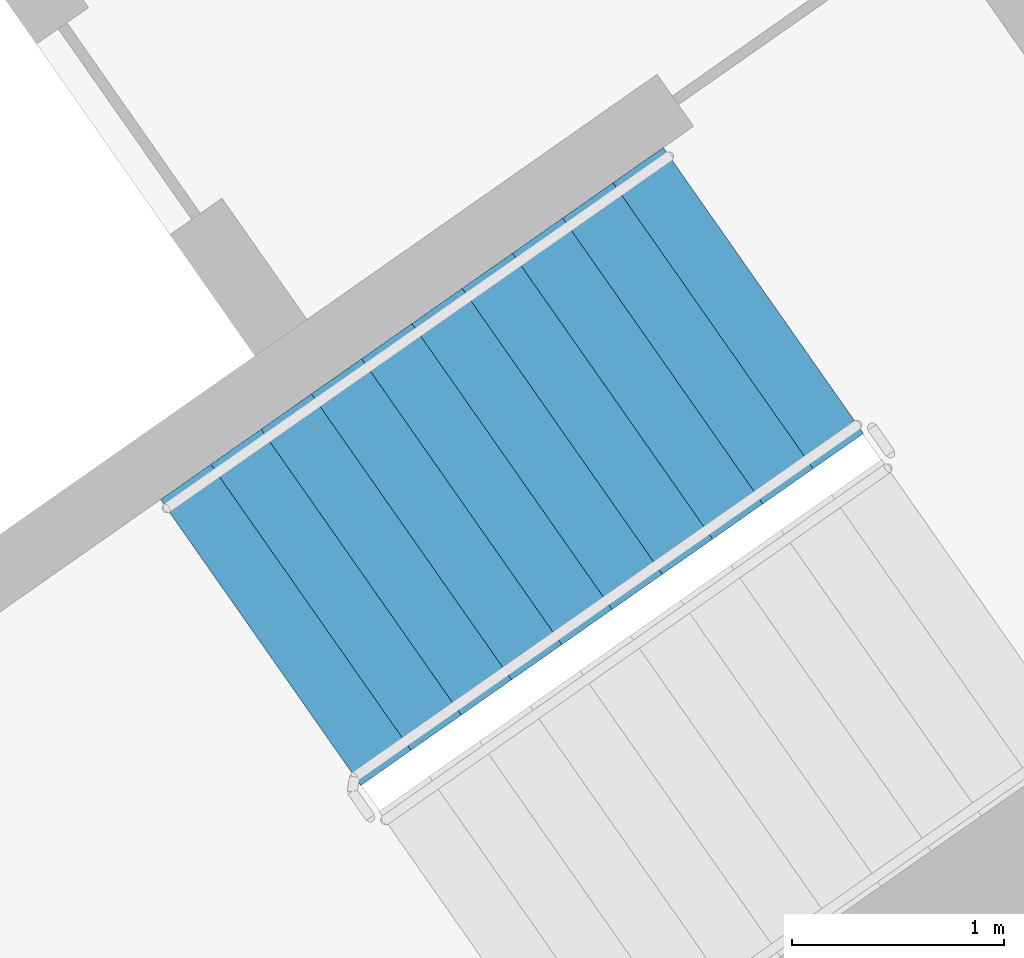
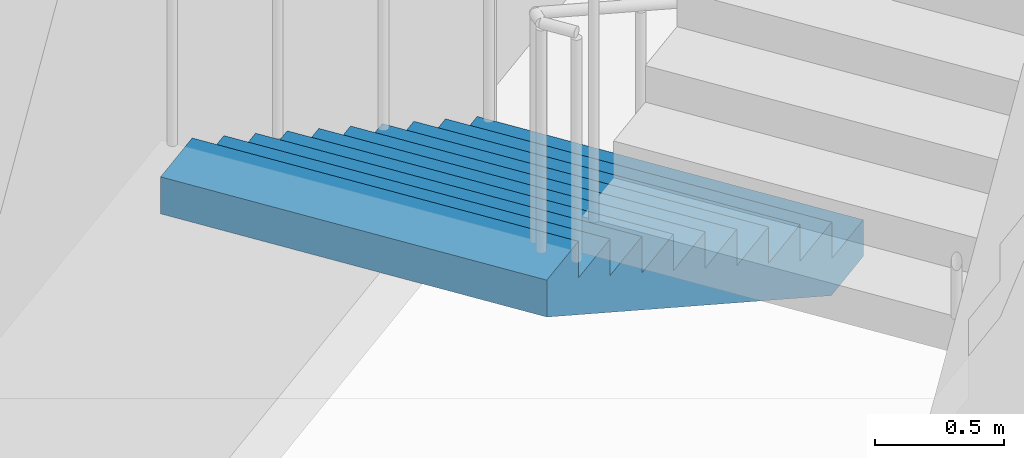
# One storey, part 13 of 29: 1 stair flight, 1 element without a shape of its own.
"""IFC4 building model written with IfcOpenShell, lengths in metres."""

from ifc_helpers import new_model, si_unit, direction, frame, origin, place, context, subcontext, project, spatial, faceted_brep, material, type_object, element, aggregate, save


model = new_model("IFC4")

# Units and contexts
model_context = context("Model", 3, precision=1e-05, world=origin(), true_north=direction((0.0, 1.0)))
body_context = subcontext(model_context, "Body", "Model", "MODEL_VIEW")
ifc_project = project(units=[si_unit("LENGTHUNIT", "METRE"), si_unit("AREAUNIT", "SQUARE_METRE"), si_unit("VOLUMEUNIT", "CUBIC_METRE"), si_unit("PLANEANGLEUNIT", "RADIAN"), si_unit("MASSUNIT", "GRAM", prefix="KILO")], contexts=[model_context])

# Site, building, storey
site_placement = place(None, origin())
site = spatial("IfcSite", under=ifc_project, at=site_placement, CompositionType="ELEMENT")
building_placement = place(site_placement, origin())
building = spatial("IfcBuilding", under=site, at=building_placement, Name="Qamariyya Broadcast Tower", CompositionType="ELEMENT")
storey_placement = place(building_placement, frame((0.0, 0.0, 258.10009765625)))
storey = spatial("IfcBuildingStorey", under=building, at=storey_placement, Name="L62", CompositionType="ELEMENT", Elevation=258.10009765625)

# Stair, stair flight
ifc_material = material(Name="Concrete C50/60", Category="concrete")
stair_type = type_object("IfcStairType", Name="Exit stair 22 risers of 173 mm", PredefinedType="HALF_TURN_STAIR", material=ifc_material)
stair_placement = place(storey_placement, origin())
stair = element("IfcStair", 1, at=stair_placement, inside=storey, type_object=stair_type, Name="L62 Stair E1", PredefinedType="HALF_TURN_STAIR")
stair_flight_type = type_object("IfcStairFlightType", Name="Exit stair flight 11 risers of 173 mm", PredefinedType="STRAIGHT", material=ifc_material)
stair_flight_placement = place(storey_placement, frame((46.036376953125, -55.508056640625, 0.0), z_axis=(0.0, 0.0, 1.0), x_axis=(-0.819152044289, -0.573576436351, 0.0)))
stair_flight = element("IfcStairFlight", 2, at=stair_flight_placement, type_object=stair_flight_type, Name="ST-E1 flight 1", NumberOfRisers=11, NumberOfTreads=10, PredefinedType="STRAIGHT", RiserHeight=0.172727273, TreadLength=0.29, context=body_context, shape_type="Brep", body=[
    faceted_brep([(0.0, 0.824951171875, 0.0), (0.0, 0.824951171875, 0.172607421875), (0.2900390625, 0.824951171875, 0.172607421875), (0.2900390625, 0.824951171875, 0.345458984375), (0.580078125, 0.824951171875, 0.345458984375), (0.580078125, 0.824951171875, 0.51806640625), (0.8701171875, 0.824951171875, 0.51806640625), (0.8701171875, 0.824951171875, 0.69091796875), (1.159912109375, 0.824951171875, 0.69091796875), (1.159912109375, 0.824951171875, 0.863525390625), (1.449951171875, 0.824951171875, 0.863525390625), (1.449951171875, 0.824951171875, 1.036376953125), (1.739990234375, 0.824951171875, 1.036376953125), (1.739990234375, 0.824951171875, 1.208984375), (2.030029296875, 0.824951171875, 1.208984375), (2.030029296875, 0.824951171875, 1.3818359375), (2.320068359375, 0.824951171875, 1.3818359375), (2.320068359375, 0.824951171875, 1.554443359375), (2.610107421875, 0.824951171875, 1.554443359375), (2.610107421875, 0.824951171875, 1.727294921875), (2.89990234375, 0.824951171875, 1.727294921875), (2.89990234375, 0.824951171875, 1.552734375), (0.29296875, 0.824951171875, 0.0), (0.29296875, -0.824951171875, 0.0), (2.89990234375, -0.824951171875, 1.552734375), (2.89990234375, -0.824951171875, 1.727294921875), (2.610107421875, -0.824951171875, 1.727294921875), (2.610107421875, -0.824951171875, 1.554443359375), (2.320068359375, -0.824951171875, 1.554443359375), (2.320068359375, -0.824951171875, 1.3818359375), (2.030029296875, -0.824951171875, 1.3818359375), (2.030029296875, -0.824951171875, 1.208984375), (1.739990234375, -0.824951171875, 1.208984375), (1.739990234375, -0.824951171875, 1.036376953125), (1.449951171875, -0.824951171875, 1.036376953125), (1.449951171875, -0.824951171875, 0.863525390625), (1.159912109375, -0.824951171875, 0.863525390625), (1.159912109375, -0.824951171875, 0.69091796875), (0.8701171875, -0.824951171875, 0.69091796875), (0.8701171875, -0.824951171875, 0.51806640625), (0.580078125, -0.824951171875, 0.51806640625), (0.580078125, -0.824951171875, 0.345458984375), (0.2900390625, -0.824951171875, 0.345458984375), (0.2900390625, -0.824951171875, 0.172607421875), (0.0, -0.824951171875, 0.172607421875), (0.0, -0.824951171875, 0.0), (0.0, 0.10009765625, 0.0), (0.0, 0.086669921875, 0.0), (0.0, 0.0732421875, 0.0), (0.0, 0.06005859375, 0.0), (0.0, 0.046630859375, 0.0), (0.0, 0.033447265625, 0.0), (0.0, 0.02001953125, 0.0), (0.0, 0.006591796875, 0.0), (0.0, -0.006591796875, 0.0), (0.0, -0.02001953125, 0.0), (0.0, -0.033447265625, 0.0), (0.0, -0.046630859375, 0.0), (0.0, -0.06005859375, 0.0), (0.0, -0.0732421875, 0.0), (0.0, -0.086669921875, 0.0), (0.0, -0.10009765625, 0.0), (0.0, -0.10009765625, 0.172607421875), (0.0, -0.086669921875, 0.172607421875), (0.0, -0.0732421875, 0.172607421875), (0.0, -0.06005859375, 0.172607421875), (0.0, -0.046630859375, 0.172607421875), (0.0, -0.033447265625, 0.172607421875), (0.0, -0.02001953125, 0.172607421875), (0.0, -0.006591796875, 0.172607421875), (0.0, 0.006591796875, 0.172607421875), (0.0, 0.02001953125, 0.172607421875), (0.0, 0.033447265625, 0.172607421875), (0.0, 0.046630859375, 0.172607421875), (0.0, 0.06005859375, 0.172607421875), (0.0, 0.0732421875, 0.172607421875), (0.0, 0.086669921875, 0.172607421875), (0.0, 0.10009765625, 0.172607421875), (0.2900390625, -0.10009765625, 0.172607421875), (0.2900390625, -0.086669921875, 0.172607421875), (0.2900390625, -0.0732421875, 0.172607421875), (0.2900390625, -0.06005859375, 0.172607421875), (0.2900390625, -0.046630859375, 0.172607421875), (0.2900390625, -0.033447265625, 0.172607421875), (0.2900390625, -0.02001953125, 0.172607421875), (0.2900390625, -0.006591796875, 0.172607421875), (0.2900390625, 0.006591796875, 0.172607421875), (0.2900390625, 0.02001953125, 0.172607421875), (0.2900390625, 0.033447265625, 0.172607421875), (0.2900390625, 0.046630859375, 0.172607421875), (0.2900390625, 0.06005859375, 0.172607421875), (0.2900390625, 0.0732421875, 0.172607421875), (0.2900390625, 0.086669921875, 0.172607421875), (0.2900390625, 0.10009765625, 0.172607421875), (0.2900390625, -0.10009765625, 0.345458984375), (0.2900390625, -0.086669921875, 0.345458984375), (0.2900390625, -0.0732421875, 0.345458984375), (0.2900390625, -0.06005859375, 0.345458984375), (0.2900390625, -0.046630859375, 0.345458984375), (0.2900390625, -0.033447265625, 0.345458984375), (0.2900390625, -0.02001953125, 0.345458984375), (0.2900390625, -0.006591796875, 0.345458984375), (0.2900390625, 0.006591796875, 0.345458984375), (0.2900390625, 0.02001953125, 0.345458984375), (0.2900390625, 0.033447265625, 0.345458984375), (0.2900390625, 0.046630859375, 0.345458984375), (0.2900390625, 0.06005859375, 0.345458984375), (0.2900390625, 0.0732421875, 0.345458984375), (0.2900390625, 0.086669921875, 0.345458984375), (0.2900390625, 0.10009765625, 0.345458984375), (0.580078125, -0.10009765625, 0.345458984375), (0.580078125, -0.086669921875, 0.345458984375), (0.580078125, -0.0732421875, 0.345458984375), (0.580078125, -0.06005859375, 0.345458984375), (0.580078125, -0.046630859375, 0.345458984375), (0.580078125, -0.033447265625, 0.345458984375), (0.580078125, -0.02001953125, 0.345458984375), (0.580078125, -0.006591796875, 0.345458984375), (0.580078125, 0.006591796875, 0.345458984375), (0.580078125, 0.02001953125, 0.345458984375), (0.580078125, 0.033447265625, 0.345458984375), (0.580078125, 0.046630859375, 0.345458984375), (0.580078125, 0.06005859375, 0.345458984375), (0.580078125, 0.0732421875, 0.345458984375), (0.580078125, 0.086669921875, 0.345458984375), (0.580078125, 0.10009765625, 0.345458984375), (0.580078125, -0.10009765625, 0.51806640625), (0.580078125, -0.086669921875, 0.51806640625), (0.580078125, -0.0732421875, 0.51806640625), (0.580078125, -0.06005859375, 0.51806640625), (0.580078125, -0.046630859375, 0.51806640625), (0.580078125, -0.033447265625, 0.51806640625), (0.580078125, -0.02001953125, 0.51806640625), (0.580078125, -0.006591796875, 0.51806640625), (0.580078125, 0.006591796875, 0.51806640625), (0.580078125, 0.02001953125, 0.51806640625), (0.580078125, 0.033447265625, 0.51806640625), (0.580078125, 0.046630859375, 0.51806640625), (0.580078125, 0.06005859375, 0.51806640625), (0.580078125, 0.0732421875, 0.51806640625), (0.580078125, 0.086669921875, 0.51806640625), (0.580078125, 0.10009765625, 0.51806640625), (0.8701171875, -0.10009765625, 0.51806640625), (0.8701171875, -0.086669921875, 0.51806640625), (0.8701171875, -0.0732421875, 0.51806640625), (0.8701171875, -0.06005859375, 0.51806640625), (0.8701171875, -0.046630859375, 0.51806640625), (0.8701171875, -0.033447265625, 0.51806640625), (0.8701171875, -0.02001953125, 0.51806640625), (0.8701171875, -0.006591796875, 0.51806640625), (0.8701171875, 0.006591796875, 0.51806640625), (0.8701171875, 0.02001953125, 0.51806640625), (0.8701171875, 0.033447265625, 0.51806640625), (0.8701171875, 0.046630859375, 0.51806640625), (0.8701171875, 0.06005859375, 0.51806640625), (0.8701171875, 0.0732421875, 0.51806640625), (0.8701171875, 0.086669921875, 0.51806640625), (0.8701171875, 0.10009765625, 0.51806640625), (0.8701171875, -0.10009765625, 0.69091796875), (0.8701171875, -0.086669921875, 0.69091796875), (0.8701171875, -0.0732421875, 0.69091796875), (0.8701171875, -0.06005859375, 0.69091796875), (0.8701171875, -0.046630859375, 0.69091796875), (0.8701171875, -0.033447265625, 0.69091796875), (0.8701171875, -0.02001953125, 0.69091796875), (0.8701171875, -0.006591796875, 0.69091796875), (0.8701171875, 0.006591796875, 0.69091796875), (0.8701171875, 0.02001953125, 0.69091796875), (0.8701171875, 0.033447265625, 0.69091796875), (0.8701171875, 0.046630859375, 0.69091796875), (0.8701171875, 0.06005859375, 0.69091796875), (0.8701171875, 0.0732421875, 0.69091796875), (0.8701171875, 0.086669921875, 0.69091796875), (0.8701171875, 0.10009765625, 0.69091796875), (1.159912109375, -0.10009765625, 0.69091796875), (1.159912109375, -0.086669921875, 0.69091796875), (1.159912109375, -0.0732421875, 0.69091796875), (1.159912109375, -0.06005859375, 0.69091796875), (1.159912109375, -0.046630859375, 0.69091796875), (1.159912109375, -0.033447265625, 0.69091796875), (1.159912109375, -0.02001953125, 0.69091796875), (1.159912109375, -0.006591796875, 0.69091796875), (1.159912109375, 0.006591796875, 0.69091796875), (1.159912109375, 0.02001953125, 0.69091796875), (1.159912109375, 0.033447265625, 0.69091796875), (1.159912109375, 0.046630859375, 0.69091796875), (1.159912109375, 0.06005859375, 0.69091796875), (1.159912109375, 0.0732421875, 0.69091796875), (1.159912109375, 0.086669921875, 0.69091796875), (1.159912109375, 0.10009765625, 0.69091796875), (1.159912109375, -0.10009765625, 0.863525390625), (1.159912109375, -0.086669921875, 0.863525390625), (1.159912109375, -0.0732421875, 0.863525390625), (1.159912109375, -0.06005859375, 0.863525390625), (1.159912109375, -0.046630859375, 0.863525390625), (1.159912109375, -0.033447265625, 0.863525390625), (1.159912109375, -0.02001953125, 0.863525390625), (1.159912109375, -0.006591796875, 0.863525390625), (1.159912109375, 0.006591796875, 0.863525390625), (1.159912109375, 0.02001953125, 0.863525390625), (1.159912109375, 0.033447265625, 0.863525390625), (1.159912109375, 0.046630859375, 0.863525390625), (1.159912109375, 0.06005859375, 0.863525390625), (1.159912109375, 0.0732421875, 0.863525390625), (1.159912109375, 0.086669921875, 0.863525390625), (1.159912109375, 0.10009765625, 0.863525390625), (1.449951171875, -0.10009765625, 0.863525390625), (1.449951171875, -0.086669921875, 0.863525390625), (1.449951171875, -0.0732421875, 0.863525390625), (1.449951171875, -0.06005859375, 0.863525390625), (1.449951171875, -0.046630859375, 0.863525390625), (1.449951171875, -0.033447265625, 0.863525390625), (1.449951171875, -0.02001953125, 0.863525390625), (1.449951171875, -0.006591796875, 0.863525390625), (1.449951171875, 0.006591796875, 0.863525390625), (1.449951171875, 0.02001953125, 0.863525390625), (1.449951171875, 0.033447265625, 0.863525390625), (1.449951171875, 0.046630859375, 0.863525390625), (1.449951171875, 0.06005859375, 0.863525390625), (1.449951171875, 0.0732421875, 0.863525390625), (1.449951171875, 0.086669921875, 0.863525390625), (1.449951171875, 0.10009765625, 0.863525390625), (1.449951171875, -0.10009765625, 1.036376953125), (1.449951171875, -0.086669921875, 1.036376953125), (1.449951171875, -0.0732421875, 1.036376953125), (1.449951171875, -0.06005859375, 1.036376953125), (1.449951171875, -0.046630859375, 1.036376953125), (1.449951171875, -0.033447265625, 1.036376953125), (1.449951171875, -0.02001953125, 1.036376953125), (1.449951171875, -0.006591796875, 1.036376953125), (1.449951171875, 0.006591796875, 1.036376953125), (1.449951171875, 0.02001953125, 1.036376953125), (1.449951171875, 0.033447265625, 1.036376953125), (1.449951171875, 0.046630859375, 1.036376953125), (1.449951171875, 0.06005859375, 1.036376953125), (1.449951171875, 0.0732421875, 1.036376953125), (1.449951171875, 0.086669921875, 1.036376953125), (1.449951171875, 0.10009765625, 1.036376953125), (1.739990234375, -0.10009765625, 1.036376953125), (1.739990234375, -0.086669921875, 1.036376953125), (1.739990234375, -0.0732421875, 1.036376953125), (1.739990234375, -0.06005859375, 1.036376953125), (1.739990234375, -0.046630859375, 1.036376953125), (1.739990234375, -0.033447265625, 1.036376953125), (1.739990234375, -0.02001953125, 1.036376953125), (1.739990234375, -0.006591796875, 1.036376953125), (1.739990234375, 0.006591796875, 1.036376953125), (1.739990234375, 0.02001953125, 1.036376953125), (1.739990234375, 0.033447265625, 1.036376953125), (1.739990234375, 0.046630859375, 1.036376953125), (1.739990234375, 0.06005859375, 1.036376953125), (1.739990234375, 0.0732421875, 1.036376953125), (1.739990234375, 0.086669921875, 1.036376953125), (1.739990234375, 0.10009765625, 1.036376953125), (1.739990234375, -0.10009765625, 1.208984375), (1.739990234375, -0.086669921875, 1.208984375), (1.739990234375, -0.0732421875, 1.208984375), (1.739990234375, -0.06005859375, 1.208984375), (1.739990234375, -0.046630859375, 1.208984375), (1.739990234375, -0.033447265625, 1.208984375), (1.739990234375, -0.02001953125, 1.208984375), (1.739990234375, -0.006591796875, 1.208984375), (1.739990234375, 0.006591796875, 1.208984375), (1.739990234375, 0.02001953125, 1.208984375), (1.739990234375, 0.033447265625, 1.208984375), (1.739990234375, 0.046630859375, 1.208984375), (1.739990234375, 0.06005859375, 1.208984375), (1.739990234375, 0.0732421875, 1.208984375), (1.739990234375, 0.086669921875, 1.208984375), (1.739990234375, 0.10009765625, 1.208984375), (2.030029296875, -0.10009765625, 1.208984375), (2.030029296875, -0.086669921875, 1.208984375), (2.030029296875, -0.0732421875, 1.208984375), (2.030029296875, -0.06005859375, 1.208984375), (2.030029296875, -0.046630859375, 1.208984375), (2.030029296875, -0.033447265625, 1.208984375), (2.030029296875, -0.02001953125, 1.208984375), (2.030029296875, -0.006591796875, 1.208984375), (2.030029296875, 0.006591796875, 1.208984375), (2.030029296875, 0.02001953125, 1.208984375), (2.030029296875, 0.033447265625, 1.208984375), (2.030029296875, 0.046630859375, 1.208984375), (2.030029296875, 0.06005859375, 1.208984375), (2.030029296875, 0.0732421875, 1.208984375), (2.030029296875, 0.086669921875, 1.208984375), (2.030029296875, 0.10009765625, 1.208984375), (2.030029296875, -0.10009765625, 1.3818359375), (2.030029296875, -0.086669921875, 1.3818359375), (2.030029296875, -0.0732421875, 1.3818359375), (2.030029296875, -0.06005859375, 1.3818359375), (2.030029296875, -0.046630859375, 1.3818359375), (2.030029296875, -0.033447265625, 1.3818359375), (2.030029296875, -0.02001953125, 1.3818359375), (2.030029296875, -0.006591796875, 1.3818359375), (2.030029296875, 0.006591796875, 1.3818359375), (2.030029296875, 0.02001953125, 1.3818359375), (2.030029296875, 0.033447265625, 1.3818359375), (2.030029296875, 0.046630859375, 1.3818359375), (2.030029296875, 0.06005859375, 1.3818359375), (2.030029296875, 0.0732421875, 1.3818359375), (2.030029296875, 0.086669921875, 1.3818359375), (2.030029296875, 0.10009765625, 1.3818359375), (2.320068359375, -0.10009765625, 1.3818359375), (2.320068359375, -0.086669921875, 1.3818359375), (2.320068359375, -0.0732421875, 1.3818359375), (2.320068359375, -0.06005859375, 1.3818359375), (2.320068359375, -0.046630859375, 1.3818359375), (2.320068359375, -0.033447265625, 1.3818359375), (2.320068359375, -0.02001953125, 1.3818359375), (2.320068359375, -0.006591796875, 1.3818359375), (2.320068359375, 0.006591796875, 1.3818359375), (2.320068359375, 0.02001953125, 1.3818359375), (2.320068359375, 0.033447265625, 1.3818359375), (2.320068359375, 0.046630859375, 1.3818359375), (2.320068359375, 0.06005859375, 1.3818359375), (2.320068359375, 0.0732421875, 1.3818359375), (2.320068359375, 0.086669921875, 1.3818359375), (2.320068359375, 0.10009765625, 1.3818359375), (2.320068359375, -0.10009765625, 1.554443359375), (2.320068359375, -0.086669921875, 1.554443359375), (2.320068359375, -0.0732421875, 1.554443359375), (2.320068359375, -0.06005859375, 1.554443359375), (2.320068359375, -0.046630859375, 1.554443359375), (2.320068359375, -0.033447265625, 1.554443359375), (2.320068359375, -0.02001953125, 1.554443359375), (2.320068359375, -0.006591796875, 1.554443359375), (2.320068359375, 0.006591796875, 1.554443359375), (2.320068359375, 0.02001953125, 1.554443359375), (2.320068359375, 0.033447265625, 1.554443359375), (2.320068359375, 0.046630859375, 1.554443359375), (2.320068359375, 0.06005859375, 1.554443359375), (2.320068359375, 0.0732421875, 1.554443359375), (2.320068359375, 0.086669921875, 1.554443359375), (2.320068359375, 0.10009765625, 1.554443359375), (2.610107421875, -0.10009765625, 1.554443359375), (2.610107421875, -0.086669921875, 1.554443359375), (2.610107421875, -0.0732421875, 1.554443359375), (2.610107421875, -0.06005859375, 1.554443359375), (2.610107421875, -0.046630859375, 1.554443359375), (2.610107421875, -0.033447265625, 1.554443359375), (2.610107421875, -0.02001953125, 1.554443359375), (2.610107421875, -0.006591796875, 1.554443359375), (2.610107421875, 0.006591796875, 1.554443359375), (2.610107421875, 0.02001953125, 1.554443359375), (2.610107421875, 0.033447265625, 1.554443359375), (2.610107421875, 0.046630859375, 1.554443359375), (2.610107421875, 0.06005859375, 1.554443359375), (2.610107421875, 0.0732421875, 1.554443359375), (2.610107421875, 0.086669921875, 1.554443359375), (2.610107421875, 0.10009765625, 1.554443359375), (2.610107421875, -0.10009765625, 1.727294921875), (2.610107421875, -0.086669921875, 1.727294921875), (2.610107421875, -0.0732421875, 1.727294921875), (2.610107421875, -0.06005859375, 1.727294921875), (2.610107421875, -0.046630859375, 1.727294921875), (2.610107421875, -0.033447265625, 1.727294921875), (2.610107421875, -0.02001953125, 1.727294921875), (2.610107421875, -0.006591796875, 1.727294921875), (2.610107421875, 0.006591796875, 1.727294921875), (2.610107421875, 0.02001953125, 1.727294921875), (2.610107421875, 0.033447265625, 1.727294921875), (2.610107421875, 0.046630859375, 1.727294921875), (2.610107421875, 0.06005859375, 1.727294921875), (2.610107421875, 0.0732421875, 1.727294921875), (2.610107421875, 0.086669921875, 1.727294921875), (2.610107421875, 0.10009765625, 1.727294921875), (2.89990234375, -0.10009765625, 1.727294921875), (2.89990234375, -0.086669921875, 1.727294921875), (2.89990234375, -0.0732421875, 1.727294921875), (2.89990234375, -0.06005859375, 1.727294921875), (2.89990234375, -0.046630859375, 1.727294921875), (2.89990234375, -0.033447265625, 1.727294921875), (2.89990234375, -0.02001953125, 1.727294921875), (2.89990234375, -0.006591796875, 1.727294921875), (2.89990234375, 0.006591796875, 1.727294921875), (2.89990234375, 0.02001953125, 1.727294921875), (2.89990234375, 0.033447265625, 1.727294921875), (2.89990234375, 0.046630859375, 1.727294921875), (2.89990234375, 0.06005859375, 1.727294921875), (2.89990234375, 0.0732421875, 1.727294921875), (2.89990234375, 0.086669921875, 1.727294921875), (2.89990234375, 0.10009765625, 1.727294921875), (2.89990234375, -0.10009765625, 1.552734375), (2.89990234375, -0.086669921875, 1.552734375), (2.89990234375, -0.0732421875, 1.552734375), (2.89990234375, -0.06005859375, 1.552734375), (2.89990234375, -0.046630859375, 1.552734375), (2.89990234375, -0.033447265625, 1.552734375), (2.89990234375, -0.02001953125, 1.552734375), (2.89990234375, -0.006591796875, 1.552734375), (2.89990234375, 0.006591796875, 1.552734375), (2.89990234375, 0.02001953125, 1.552734375), (2.89990234375, 0.033447265625, 1.552734375), (2.89990234375, 0.046630859375, 1.552734375), (2.89990234375, 0.06005859375, 1.552734375), (2.89990234375, 0.0732421875, 1.552734375), (2.89990234375, 0.086669921875, 1.552734375), (2.89990234375, 0.10009765625, 1.552734375), (0.29296875, -0.10009765625, 0.0), (0.29296875, -0.086669921875, 0.0), (0.29296875, -0.0732421875, 0.0), (0.29296875, -0.06005859375, 0.0), (0.29296875, -0.046630859375, 0.0), (0.29296875, -0.033447265625, 0.0), (0.29296875, -0.02001953125, 0.0), (0.29296875, -0.006591796875, 0.0), (0.29296875, 0.006591796875, 0.0), (0.29296875, 0.02001953125, 0.0), (0.29296875, 0.033447265625, 0.0), (0.29296875, 0.046630859375, 0.0), (0.29296875, 0.06005859375, 0.0), (0.29296875, 0.0732421875, 0.0), (0.29296875, 0.086669921875, 0.0), (0.29296875, 0.10009765625, 0.0)], [[[0, 1, 2, 3, 4, 5, 6, 7, 8, 9, 10, 11, 12, 13, 14, 15, 16, 17, 18, 19, 20, 21, 22]], [[23, 24, 25, 26, 27, 28, 29, 30, 31, 32, 33, 34, 35, 36, 37, 38, 39, 40, 41, 42, 43, 44, 45]], [[0, 46, 47, 48, 49, 50, 51, 52, 53, 54, 55, 56, 57, 58, 59, 60, 61, 45, 44, 62, 63, 64, 65, 66, 67, 68, 69, 70, 71, 72, 73, 74, 75, 76, 77, 1]], [[1, 77, 76, 75, 74, 73, 72, 71, 70, 69, 68, 67, 66, 65, 64, 63, 62, 44, 43, 78, 79, 80, 81, 82, 83, 84, 85, 86, 87, 88, 89, 90, 91, 92, 93, 2]], [[2, 93, 92, 91, 90, 89, 88, 87, 86, 85, 84, 83, 82, 81, 80, 79, 78, 43, 42, 94, 95, 96, 97, 98, 99, 100, 101, 102, 103, 104, 105, 106, 107, 108, 109, 3]], [[3, 109, 108, 107, 106, 105, 104, 103, 102, 101, 100, 99, 98, 97, 96, 95, 94, 42, 41, 110, 111, 112, 113, 114, 115, 116, 117, 118, 119, 120, 121, 122, 123, 124, 125, 4]], [[4, 125, 124, 123, 122, 121, 120, 119, 118, 117, 116, 115, 114, 113, 112, 111, 110, 41, 40, 126, 127, 128, 129, 130, 131, 132, 133, 134, 135, 136, 137, 138, 139, 140, 141, 5]], [[5, 141, 140, 139, 138, 137, 136, 135, 134, 133, 132, 131, 130, 129, 128, 127, 126, 40, 39, 142, 143, 144, 145, 146, 147, 148, 149, 150, 151, 152, 153, 154, 155, 156, 157, 6]], [[6, 157, 156, 155, 154, 153, 152, 151, 150, 149, 148, 147, 146, 145, 144, 143, 142, 39, 38, 158, 159, 160, 161, 162, 163, 164, 165, 166, 167, 168, 169, 170, 171, 172, 173, 7]], [[7, 173, 172, 171, 170, 169, 168, 167, 166, 165, 164, 163, 162, 161, 160, 159, 158, 38, 37, 174, 175, 176, 177, 178, 179, 180, 181, 182, 183, 184, 185, 186, 187, 188, 189, 8]], [[8, 189, 188, 187, 186, 185, 184, 183, 182, 181, 180, 179, 178, 177, 176, 175, 174, 37, 36, 190, 191, 192, 193, 194, 195, 196, 197, 198, 199, 200, 201, 202, 203, 204, 205, 9]], [[9, 205, 204, 203, 202, 201, 200, 199, 198, 197, 196, 195, 194, 193, 192, 191, 190, 36, 35, 206, 207, 208, 209, 210, 211, 212, 213, 214, 215, 216, 217, 218, 219, 220, 221, 10]], [[10, 221, 220, 219, 218, 217, 216, 215, 214, 213, 212, 211, 210, 209, 208, 207, 206, 35, 34, 222, 223, 224, 225, 226, 227, 228, 229, 230, 231, 232, 233, 234, 235, 236, 237, 11]], [[11, 237, 236, 235, 234, 233, 232, 231, 230, 229, 228, 227, 226, 225, 224, 223, 222, 34, 33, 238, 239, 240, 241, 242, 243, 244, 245, 246, 247, 248, 249, 250, 251, 252, 253, 12]], [[12, 253, 252, 251, 250, 249, 248, 247, 246, 245, 244, 243, 242, 241, 240, 239, 238, 33, 32, 254, 255, 256, 257, 258, 259, 260, 261, 262, 263, 264, 265, 266, 267, 268, 269, 13]], [[13, 269, 268, 267, 266, 265, 264, 263, 262, 261, 260, 259, 258, 257, 256, 255, 254, 32, 31, 270, 271, 272, 273, 274, 275, 276, 277, 278, 279, 280, 281, 282, 283, 284, 285, 14]], [[14, 285, 284, 283, 282, 281, 280, 279, 278, 277, 276, 275, 274, 273, 272, 271, 270, 31, 30, 286, 287, 288, 289, 290, 291, 292, 293, 294, 295, 296, 297, 298, 299, 300, 301, 15]], [[15, 301, 300, 299, 298, 297, 296, 295, 294, 293, 292, 291, 290, 289, 288, 287, 286, 30, 29, 302, 303, 304, 305, 306, 307, 308, 309, 310, 311, 312, 313, 314, 315, 316, 317, 16]], [[16, 317, 316, 315, 314, 313, 312, 311, 310, 309, 308, 307, 306, 305, 304, 303, 302, 29, 28, 318, 319, 320, 321, 322, 323, 324, 325, 326, 327, 328, 329, 330, 331, 332, 333, 17]], [[17, 333, 332, 331, 330, 329, 328, 327, 326, 325, 324, 323, 322, 321, 320, 319, 318, 28, 27, 334, 335, 336, 337, 338, 339, 340, 341, 342, 343, 344, 345, 346, 347, 348, 349, 18]], [[18, 349, 348, 347, 346, 345, 344, 343, 342, 341, 340, 339, 338, 337, 336, 335, 334, 27, 26, 350, 351, 352, 353, 354, 355, 356, 357, 358, 359, 360, 361, 362, 363, 364, 365, 19]], [[19, 365, 364, 363, 362, 361, 360, 359, 358, 357, 356, 355, 354, 353, 352, 351, 350, 26, 25, 366, 367, 368, 369, 370, 371, 372, 373, 374, 375, 376, 377, 378, 379, 380, 381, 20]], [[20, 381, 380, 379, 378, 377, 376, 375, 374, 373, 372, 371, 370, 369, 368, 367, 366, 25, 24, 382, 383, 384, 385, 386, 387, 388, 389, 390, 391, 392, 393, 394, 395, 396, 397, 21]], [[21, 397, 396, 395, 394, 393, 392, 391, 390, 389, 388, 387, 386, 385, 384, 383, 382, 24, 23, 398, 399, 400, 401, 402, 403, 404, 405, 406, 407, 408, 409, 410, 411, 412, 413, 22]], [[22, 413, 412, 411, 410, 409, 408, 407, 406, 405, 404, 403, 402, 401, 400, 399, 398, 23, 45, 61, 60, 59, 58, 57, 56, 55, 54, 53, 52, 51, 50, 49, 48, 47, 46, 0]]]),
])
aggregate(stair, [stair_flight])

save(model, "model.ifc")
